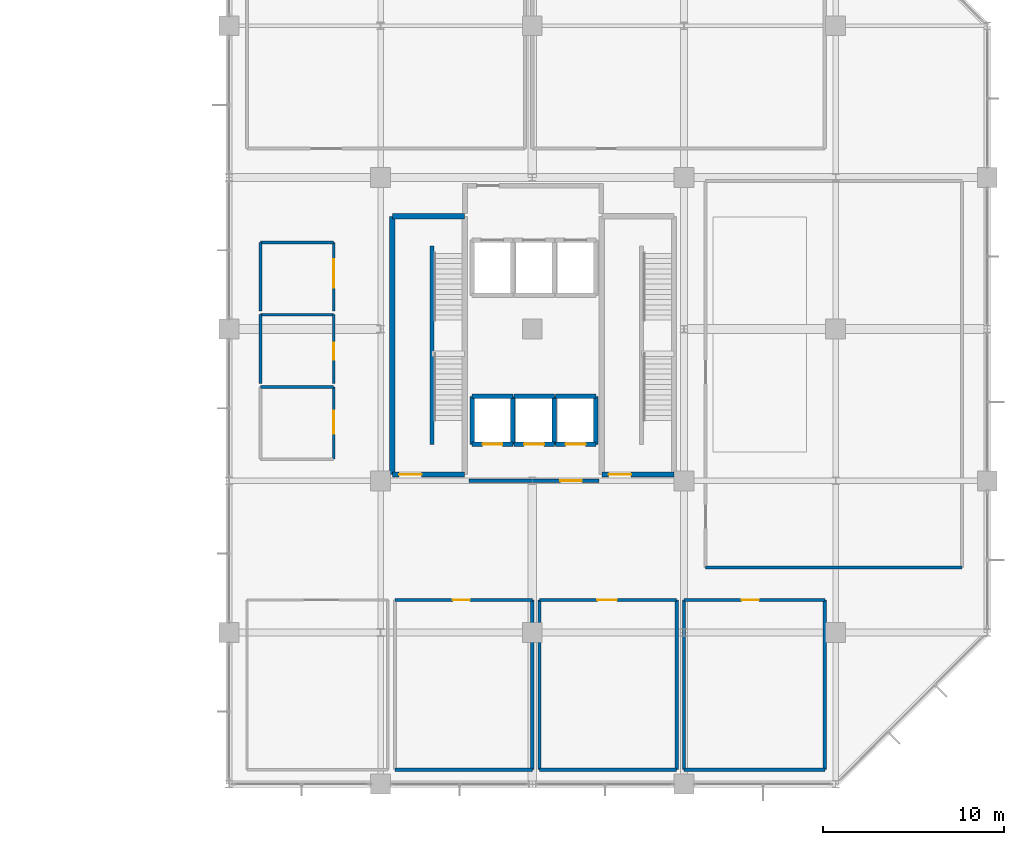
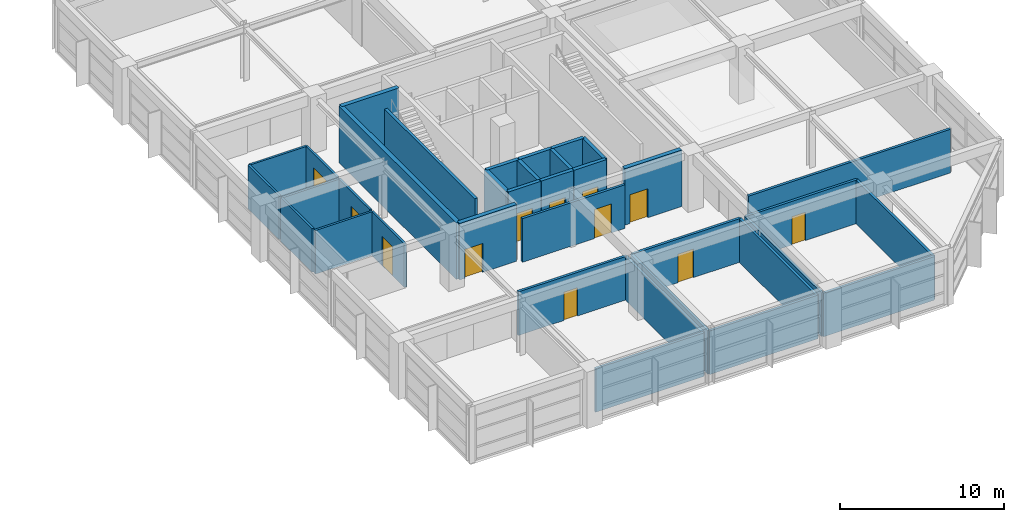
# One storey, part 15 of 18: 36 walls, 12 doors, 12 openings.
"""IFC4 building model written with IfcOpenShell, lengths in metres."""

from ifc_helpers import new_model, si_unit, direction, frame, frame_2d, origin, place, context, subcontext, project, spatial, rectangle, extrude, material, layer, layer_set, type_object, element, fill, save


model = new_model("IFC4")

# Units and contexts
model_context = context("Model", 3, precision=1e-05, world=origin(), true_north=direction((0.0, 1.0)))
body_context = subcontext(model_context, "Body", "Model", "MODEL_VIEW")
ifc_project = project(units=[si_unit("LENGTHUNIT", "METRE"), si_unit("AREAUNIT", "SQUARE_METRE"), si_unit("VOLUMEUNIT", "CUBIC_METRE"), si_unit("PLANEANGLEUNIT", "RADIAN"), si_unit("MASSUNIT", "GRAM", prefix="KILO")], contexts=[model_context])

# Site, building, storey
site_placement = place(None, origin())
site = spatial("IfcSite", under=ifc_project, at=site_placement, CompositionType="ELEMENT")
building_placement = place(site_placement, origin())
building = spatial("IfcBuilding", under=site, at=building_placement, Name="Xuanlan Plaza Opera House", CompositionType="ELEMENT")
storey_placement = place(building_placement, frame((0.0, 0.0, 32.10009765625)))
storey = spatial("IfcBuildingStorey", under=building, at=storey_placement, Name="L07", CompositionType="ELEMENT", Elevation=32.10009765625)

# Wall, opening, door
ifc_material_1 = material(Name="Gypsum Board and Galvanised Steel Studs", Category="gypsum")
ifc_layer_1 = layer(ifc_material_1, 0.179931640625)
ifc_layer_set_1 = layer_set([ifc_layer_1], Name="Gypsum Board and Galvanised Steel Studs")
wall_type_1 = type_object("IfcWallType", Name="INT-WL-PW-02", PredefinedType="PARTITIONING", material=ifc_layer_set_1)
wall_1_placement = place(storey_placement, frame((139.300048828125, 50.39990234375, 0.0), z_axis=(0.0, 0.0, 1.0), x_axis=(1.0, 0.0, 0.0)))
wall_1 = element("IfcWall", 1, at=wall_1_placement, inside=storey, type_object=wall_type_1, Name="Tower Lift Lobby Wall South", PredefinedType="PARTITIONING", context=body_context, shape_type="SweptSolid", body=[
    extrude(rectangle(XDim=7.199951171875, YDim=0.179931640625, at=frame_2d((3.60009765625, 0.0))), origin(), (0.0, 0.0, 1.0), 3.239990234375),
])
opening_1_placement = place(wall_1_placement, frame((5.050048828125, 0.0, 0.0)))
opening_1 = element("IfcOpeningElement", 2, at=opening_1_placement, cuts=wall_1, Name="Opening FD-02", PredefinedType="OPENING", context=body_context, shape_type="SweptSolid", body=[
    extrude(rectangle(XDim=1.199951171875, YDim=2.14990234375, at=frame_2d((0.60009765625, 1.074951171875))), frame((0.0, 0.099853515625, 0.0), z_axis=(0.0, -1.0, 0.0), x_axis=(1.0, 0.0, 0.0)), (0.0, 0.0, 1.0), 0.199951171875),
])
ifc_material_2 = material(Name="Galvanised Steel Q235B", Category="steel")
door_type_1 = type_object("IfcDoorType", Name="INT-DR-FD-02", OperationType="NOTDEFINED", PredefinedType="DOOR", material=ifc_material_2)
door_1_placement = place(opening_1_placement, frame((1.199951171875, 0.0, 0.0), z_axis=(0.0, 0.0, 1.0), x_axis=(-1.0, 0.0, 0.0)))
door_1 = element("IfcDoor", 3, at=door_1_placement, inside=storey, type_object=door_type_1, Name="Tower Lift Lobby Door 1", OperationType="SINGLE_SWING_RIGHT", OverallHeight=2.14990234375, OverallWidth=1.199951171875, PredefinedType="DOOR", context=body_context, shape_type="SweptSolid", body=[
    extrude(rectangle(XDim=1.199951171875, YDim=2.14990234375, at=frame_2d((0.60009765625, 1.074951171875))), frame((0.0, 0.02490234375, 0.0), z_axis=(0.0, -1.0, 0.0), x_axis=(1.0, 0.0, 0.0)), (0.0, 0.0, 1.0), 0.050048828125),
])
fill(opening_1, door_1)

# Walls
wall_2_placement = place(storey_placement, frame((152.39990234375, 45.60009765625, 0.0), z_axis=(0.0, 0.0, 1.0), x_axis=(1.0, 0.0, 0.0)))
element("IfcWall", 4, at=wall_2_placement, inside=storey, type_object=wall_type_1, Name="Performing Arts Production Studio Wall South", PredefinedType="PARTITIONING", context=body_context, shape_type="SweptSolid", body=[
    extrude(rectangle(XDim=14.2001953125, YDim=0.179931640625, at=frame_2d((7.10009765625, 0.0))), origin(), (0.0, 0.0, 1.0), 3.239990234375),
])
wall_3_placement = place(storey_placement, frame((135.199951171875, 34.39990234375, 0.0), z_axis=(0.0, 0.0, 1.0), x_axis=(1.0, 0.0, 0.0)))
element("IfcWall", 5, at=wall_3_placement, inside=storey, type_object=wall_type_1, Name="Cultural Administration Office 2 Wall South", PredefinedType="PARTITIONING", context=body_context, shape_type="SweptSolid", body=[
    extrude(rectangle(XDim=7.60009765625, YDim=0.179931640625, at=frame_2d((3.800048828125, 0.0))), origin(), (0.0, 0.0, 1.0), 3.239990234375),
])

# Wall, opening, door
wall_4_placement = place(storey_placement, frame((135.199951171875, 43.800048828125, 0.0), z_axis=(0.0, 0.0, 1.0), x_axis=(1.0, 0.0, 0.0)))
wall_4 = element("IfcWall", 6, at=wall_4_placement, inside=storey, type_object=wall_type_1, Name="Cultural Administration Office 2 Wall North", PredefinedType="PARTITIONING", context=body_context, shape_type="SweptSolid", body=[
    extrude(rectangle(XDim=7.60009765625, YDim=0.179931640625, at=frame_2d((3.800048828125, 0.0))), origin(), (0.0, 0.0, 1.0), 3.239990234375),
])
opening_2_placement = place(wall_4_placement, frame((3.199951171875, 0.0, 0.0)))
opening_2 = element("IfcOpeningElement", 7, at=opening_2_placement, cuts=wall_4, Name="Opening D-01", PredefinedType="OPENING", context=body_context, shape_type="SweptSolid", body=[
    extrude(rectangle(XDim=0.949951171875, YDim=2.10009765625, at=frame_2d((0.47509765625, 1.050048828125))), frame((0.0, 0.099853515625, 0.0), z_axis=(0.0, -1.0, 0.0), x_axis=(1.0, 0.0, 0.0)), (0.0, 0.0, 1.0), 0.199951171875),
])
ifc_material_3 = material(Name="Walnut Hardwood Timber", Category="wood")
door_type_2 = type_object("IfcDoorType", Name="INT-DR-D-01", OperationType="NOTDEFINED", PredefinedType="DOOR", material=ifc_material_3)
door_2_placement = place(opening_2_placement, origin())
door_2 = element("IfcDoor", 8, at=door_2_placement, inside=storey, type_object=door_type_2, Name="Cultural Administration Office 2 Door 1", OperationType="SINGLE_SWING_RIGHT", OverallHeight=2.10009765625, OverallWidth=0.949951171875, PredefinedType="DOOR", context=body_context, shape_type="SweptSolid", body=[
    extrude(rectangle(XDim=0.949951171875, YDim=2.10009765625, at=frame_2d((0.47509765625, 1.050048828125))), frame((0.0, 0.02490234375, 0.0), z_axis=(0.0, -1.0, 0.0), x_axis=(1.0, 0.0, 0.0)), (0.0, 0.0, 1.0), 0.050048828125),
])
fill(opening_2, door_2)

# Walls
wall_5_placement = place(storey_placement, frame((142.800048828125, 34.39990234375, 0.0), z_axis=(0.0, 0.0, 1.0), x_axis=(0.0, 1.0, 0.0)))
element("IfcWall", 9, at=wall_5_placement, inside=storey, type_object=wall_type_1, Name="Cultural Administration Office 2 Wall East", PredefinedType="PARTITIONING", context=body_context, shape_type="SweptSolid", body=[
    extrude(rectangle(XDim=9.400146484375, YDim=0.179931640625, at=frame_2d((4.7001953125, 0.0))), origin(), (0.0, 0.0, 1.0), 3.239990234375),
])
wall_6_placement = place(storey_placement, frame((143.199951171875, 34.39990234375, 0.0), z_axis=(0.0, 0.0, 1.0), x_axis=(1.0, 0.0, 0.0)))
element("IfcWall", 10, at=wall_6_placement, inside=storey, type_object=wall_type_1, Name="Cultural Administration Office 3 Wall South", PredefinedType="PARTITIONING", context=body_context, shape_type="SweptSolid", body=[
    extrude(rectangle(XDim=7.60009765625, YDim=0.179931640625, at=frame_2d((3.800048828125, 0.0))), origin(), (0.0, 0.0, 1.0), 3.239990234375),
])

# Wall, opening, door
wall_7_placement = place(storey_placement, frame((143.199951171875, 43.800048828125, 0.0), z_axis=(0.0, 0.0, 1.0), x_axis=(1.0, 0.0, 0.0)))
wall_7 = element("IfcWall", 11, at=wall_7_placement, inside=storey, type_object=wall_type_1, Name="Cultural Administration Office 3 Wall North", PredefinedType="PARTITIONING", context=body_context, shape_type="SweptSolid", body=[
    extrude(rectangle(XDim=7.60009765625, YDim=0.179931640625, at=frame_2d((3.800048828125, 0.0))), origin(), (0.0, 0.0, 1.0), 3.239990234375),
])
opening_3_placement = place(wall_7_placement, frame((3.199951171875, 0.0, 0.0)))
opening_3 = element("IfcOpeningElement", 12, at=opening_3_placement, cuts=wall_7, Name="Opening D-06", PredefinedType="OPENING", context=body_context, shape_type="SweptSolid", body=[
    extrude(rectangle(XDim=1.080078125, YDim=2.1201171875, at=frame_2d((0.5400390625, 1.06005859375))), frame((0.0, 0.099853515625, 0.0), z_axis=(0.0, -1.0, 0.0), x_axis=(1.0, 0.0, 0.0)), (0.0, 0.0, 1.0), 0.199951171875),
])
ifc_material_4 = material(Name="Oak Hardwood Timber", Category="wood")
door_type_3 = type_object("IfcDoorType", Name="INT-DR-D-06", OperationType="NOTDEFINED", PredefinedType="DOOR", material=ifc_material_4)
door_3_placement = place(opening_3_placement, origin())
door_3 = element("IfcDoor", 13, at=door_3_placement, inside=storey, type_object=door_type_3, Name="Cultural Administration Office 3 Door 1", OperationType="SINGLE_SWING_LEFT", OverallHeight=2.1201171875, OverallWidth=1.080078125, PredefinedType="DOOR", context=body_context, shape_type="SweptSolid", body=[
    extrude(rectangle(XDim=1.080078125, YDim=2.1201171875, at=frame_2d((0.5400390625, 1.06005859375))), frame((0.0, 0.02490234375, 0.0), z_axis=(0.0, -1.0, 0.0), x_axis=(1.0, 0.0, 0.0)), (0.0, 0.0, 1.0), 0.050048828125),
])
fill(opening_3, door_3)

# Walls
for number, where, z_axis, x_axis, name in (
    (14, (143.199951171875, 34.39990234375, 0.0), (0.0, 0.0, 1.0), (0.0, 1.0, 0.0), "Cultural Administration Office 3 Wall West"),
    (15, (150.800048828125, 34.39990234375, 0.0), (0.0, 0.0, 1.0), (0.0, 1.0, 0.0), "Cultural Administration Office 3 Wall East"),
):
    element("IfcWall", number, at=place(storey_placement, frame(where, z_axis=z_axis, x_axis=x_axis)), inside=storey, type_object=wall_type_1, Name=name, PredefinedType="PARTITIONING", context=body_context, shape_type="SweptSolid", body=[
        extrude(rectangle(XDim=9.400146484375, YDim=0.179931640625, at=frame_2d((4.7001953125, 0.0))), origin(), (0.0, 0.0, 1.0), 3.239990234375),
    ])
wall_8_placement = place(storey_placement, frame((151.199951171875, 34.39990234375, 0.0), z_axis=(0.0, 0.0, 1.0), x_axis=(1.0, 0.0, 0.0)))
element("IfcWall", 16, at=wall_8_placement, inside=storey, type_object=wall_type_1, Name="Cultural Administration Office 4 Wall South", PredefinedType="PARTITIONING", context=body_context, shape_type="SweptSolid", body=[
    extrude(rectangle(XDim=7.800048828125, YDim=0.179931640625, at=frame_2d((3.89990234375, 0.0))), origin(), (0.0, 0.0, 1.0), 3.239990234375),
])

# Wall, opening, door
wall_9_placement = place(storey_placement, frame((151.199951171875, 43.800048828125, 0.0), z_axis=(0.0, 0.0, 1.0), x_axis=(1.0, 0.0, 0.0)))
wall_9 = element("IfcWall", 17, at=wall_9_placement, inside=storey, type_object=wall_type_1, Name="Cultural Administration Office 4 Wall North", PredefinedType="PARTITIONING", context=body_context, shape_type="SweptSolid", body=[
    extrude(rectangle(XDim=7.800048828125, YDim=0.179931640625, at=frame_2d((3.89990234375, 0.0))), origin(), (0.0, 0.0, 1.0), 3.239990234375),
])
opening_4_placement = place(wall_9_placement, frame((3.199951171875, 0.0, 0.0)))
opening_4 = element("IfcOpeningElement", 18, at=opening_4_placement, cuts=wall_9, Name="Opening D-01", PredefinedType="OPENING", context=body_context, shape_type="SweptSolid", body=[
    extrude(rectangle(XDim=0.949951171875, YDim=2.10009765625, at=frame_2d((0.47509765625, 1.050048828125))), frame((0.0, 0.099853515625, 0.0), z_axis=(0.0, -1.0, 0.0), x_axis=(1.0, 0.0, 0.0)), (0.0, 0.0, 1.0), 0.199951171875),
])
door_4_placement = place(opening_4_placement, origin())
door_4 = element("IfcDoor", 19, at=door_4_placement, inside=storey, type_object=door_type_2, Name="Cultural Administration Office 4 Door 1", OperationType="SINGLE_SWING_RIGHT", OverallHeight=2.10009765625, OverallWidth=0.949951171875, PredefinedType="DOOR", context=body_context, shape_type="SweptSolid", body=[
    extrude(rectangle(XDim=0.949951171875, YDim=2.10009765625, at=frame_2d((0.47509765625, 1.050048828125))), frame((0.0, 0.02490234375, 0.0), z_axis=(0.0, -1.0, 0.0), x_axis=(1.0, 0.0, 0.0)), (0.0, 0.0, 1.0), 0.050048828125),
])
fill(opening_4, door_4)

# Walls
for number, where, z_axis, x_axis, name in (
    (20, (151.199951171875, 34.39990234375, 0.0), (0.0, 0.0, 1.0), (0.0, 1.0, 0.0), "Cultural Administration Office 4 Wall West"),
    (21, (159.0, 34.39990234375, 0.0), (0.0, 0.0, 1.0), (0.0, 1.0, 0.0), "Cultural Administration Office 4 Wall East"),
):
    element("IfcWall", number, at=place(storey_placement, frame(where, z_axis=z_axis, x_axis=x_axis)), inside=storey, type_object=wall_type_1, Name=name, PredefinedType="PARTITIONING", context=body_context, shape_type="SweptSolid", body=[
        extrude(rectangle(XDim=9.400146484375, YDim=0.179931640625, at=frame_2d((4.7001953125, 0.0))), origin(), (0.0, 0.0, 1.0), 3.239990234375),
    ])
ifc_material_5 = material(Name="Autoclaved Aerated Blockwork Masonry", Category="masonry")
ifc_layer_2 = layer(ifc_material_5, 0.14990234375)
ifc_layer_set_2 = layer_set([ifc_layer_2], Name="Autoclaved Aerated Blockwork Masonry")
wall_type_2 = type_object("IfcWallType", Name="INT-WL-PW-03", PredefinedType="PARTITIONING", material=ifc_layer_set_2)
wall_10_placement = place(storey_placement, frame((127.75, 55.60009765625, 0.0), z_axis=(0.0, 0.0, 1.0), x_axis=(1.0, 0.0, 0.0)))
element("IfcWall", 22, at=wall_10_placement, inside=storey, type_object=wall_type_2, Name="Public WC Wall North", PredefinedType="PARTITIONING", context=body_context, shape_type="SweptSolid", body=[
    extrude(rectangle(XDim=4.050048828125, YDim=0.14990234375, at=frame_2d((2.02490234375, 0.0))), origin(), (0.0, 0.0, 1.0), 3.239990234375),
])

# Wall, opening, door
wall_11_placement = place(storey_placement, frame((131.800048828125, 51.60009765625, 0.0), z_axis=(0.0, 0.0, 1.0), x_axis=(0.0, 1.0, 0.0)))
wall_11 = element("IfcWall", 23, at=wall_11_placement, inside=storey, type_object=wall_type_2, Name="Public WC Wall East", PredefinedType="PARTITIONING", context=body_context, shape_type="SweptSolid", body=[
    extrude(rectangle(XDim=4.0, YDim=0.14990234375, at=frame_2d((2.0, 0.0))), origin(), (0.0, 0.0, 1.0), 3.239990234375),
])
opening_5_placement = place(wall_11_placement, frame((1.39990234375, 0.0, 0.0)))
opening_5 = element("IfcOpeningElement", 24, at=opening_5_placement, cuts=wall_11, Name="Opening D-11", PredefinedType="OPENING", context=body_context, shape_type="SweptSolid", body=[
    extrude(rectangle(XDim=1.280029296875, YDim=2.159912109375, at=frame_2d((0.64013671875, 1.080078125))), frame((0.0, 0.0849609375, 0.0), z_axis=(0.0, -1.0, 0.0), x_axis=(1.0, 0.0, 0.0)), (0.0, 0.0, 1.0), 0.169921875),
])
door_type_4 = type_object("IfcDoorType", Name="INT-DR-D-11", OperationType="NOTDEFINED", PredefinedType="DOOR", material=ifc_material_3)
door_5_placement = place(opening_5_placement, origin())
door_5 = element("IfcDoor", 25, at=door_5_placement, inside=storey, type_object=door_type_4, Name="Public WC Door 1", OperationType="SINGLE_SWING_LEFT", OverallHeight=2.159912109375, OverallWidth=1.280029296875, PredefinedType="DOOR", context=body_context, shape_type="SweptSolid", body=[
    extrude(rectangle(XDim=1.280029296875, YDim=2.159912109375, at=frame_2d((0.64013671875, 1.080078125))), frame((0.0, 0.02490234375, 0.0), z_axis=(0.0, -1.0, 0.0), x_axis=(1.0, 0.0, 0.0)), (0.0, 0.0, 1.0), 0.050048828125),
])
fill(opening_5, door_5)

# Walls
wall_12_placement = place(storey_placement, frame((127.75, 59.60009765625, 0.0), z_axis=(0.0, 0.0, 1.0), x_axis=(1.0, 0.0, 0.0)))
element("IfcWall", 26, at=wall_12_placement, inside=storey, type_object=wall_type_2, Name="Staff WC Wall North", PredefinedType="PARTITIONING", context=body_context, shape_type="SweptSolid", body=[
    extrude(rectangle(XDim=4.050048828125, YDim=0.14990234375, at=frame_2d((2.02490234375, 0.0))), origin(), (0.0, 0.0, 1.0), 3.239990234375),
])
wall_13_placement = place(storey_placement, frame((127.75, 55.800048828125, 0.0), z_axis=(0.0, 0.0, 1.0), x_axis=(0.0, 1.0, 0.0)))
element("IfcWall", 27, at=wall_13_placement, inside=storey, type_object=wall_type_2, Name="Staff WC Wall West", PredefinedType="PARTITIONING", context=body_context, shape_type="SweptSolid", body=[
    extrude(rectangle(XDim=3.800048828125, YDim=0.14990234375, at=frame_2d((1.89990234375, 0.0))), origin(), (0.0, 0.0, 1.0), 3.239990234375),
])

# Wall, opening, door
wall_14_placement = place(storey_placement, frame((131.800048828125, 55.800048828125, 0.0), z_axis=(0.0, 0.0, 1.0), x_axis=(0.0, 1.0, 0.0)))
wall_14 = element("IfcWall", 28, at=wall_14_placement, inside=storey, type_object=wall_type_2, Name="Staff WC Wall East", PredefinedType="PARTITIONING", context=body_context, shape_type="SweptSolid", body=[
    extrude(rectangle(XDim=3.800048828125, YDim=0.14990234375, at=frame_2d((1.89990234375, 0.0))), origin(), (0.0, 0.0, 1.0), 3.239990234375),
])
opening_6_placement = place(wall_14_placement, frame((1.300048828125, 0.0, 0.0)))
opening_6 = element("IfcOpeningElement", 29, at=opening_6_placement, cuts=wall_14, Name="Opening D-01", PredefinedType="OPENING", context=body_context, shape_type="SweptSolid", body=[
    extrude(rectangle(XDim=0.949951171875, YDim=2.10009765625, at=frame_2d((0.47509765625, 1.050048828125))), frame((0.0, 0.0849609375, 0.0), z_axis=(0.0, -1.0, 0.0), x_axis=(1.0, 0.0, 0.0)), (0.0, 0.0, 1.0), 0.169921875),
])
door_6_placement = place(opening_6_placement, origin())
door_6 = element("IfcDoor", 30, at=door_6_placement, inside=storey, type_object=door_type_2, Name="Staff WC Door 1", OperationType="SINGLE_SWING_RIGHT", OverallHeight=2.10009765625, OverallWidth=0.949951171875, PredefinedType="DOOR", context=body_context, shape_type="SweptSolid", body=[
    extrude(rectangle(XDim=0.949951171875, YDim=2.10009765625, at=frame_2d((0.47509765625, 1.050048828125))), frame((0.0, 0.02490234375, 0.0), z_axis=(0.0, -1.0, 0.0), x_axis=(1.0, 0.0, 0.0)), (0.0, 0.0, 1.0), 0.050048828125),
])
fill(opening_6, door_6)

# Walls
wall_15_placement = place(storey_placement, frame((127.75, 63.60009765625, 0.0), z_axis=(0.0, 0.0, 1.0), x_axis=(1.0, 0.0, 0.0)))
element("IfcWall", 31, at=wall_15_placement, inside=storey, type_object=wall_type_2, Name="Accessible WC Wall North", PredefinedType="PARTITIONING", context=body_context, shape_type="SweptSolid", body=[
    extrude(rectangle(XDim=4.050048828125, YDim=0.14990234375, at=frame_2d((2.02490234375, 0.0))), origin(), (0.0, 0.0, 1.0), 3.239990234375),
])
wall_16_placement = place(storey_placement, frame((127.75, 59.800048828125, 0.0), z_axis=(0.0, 0.0, 1.0), x_axis=(0.0, 1.0, 0.0)))
element("IfcWall", 32, at=wall_16_placement, inside=storey, type_object=wall_type_2, Name="Accessible WC Wall West", PredefinedType="PARTITIONING", context=body_context, shape_type="SweptSolid", body=[
    extrude(rectangle(XDim=3.800048828125, YDim=0.14990234375, at=frame_2d((1.89990234375, 0.0))), origin(), (0.0, 0.0, 1.0), 3.239990234375),
])

# Wall, opening, door
wall_17_placement = place(storey_placement, frame((131.800048828125, 59.800048828125, 0.0), z_axis=(0.0, 0.0, 1.0), x_axis=(0.0, 1.0, 0.0)))
wall_17 = element("IfcWall", 33, at=wall_17_placement, inside=storey, type_object=wall_type_2, Name="Accessible WC Wall East", PredefinedType="PARTITIONING", context=body_context, shape_type="SweptSolid", body=[
    extrude(rectangle(XDim=3.800048828125, YDim=0.14990234375, at=frame_2d((1.89990234375, 0.0))), origin(), (0.0, 0.0, 1.0), 3.239990234375),
])
opening_7_placement = place(wall_17_placement, frame((1.300048828125, 0.0, 0.0)))
opening_7 = element("IfcOpeningElement", 34, at=opening_7_placement, cuts=wall_17, Name="Opening D-13", PredefinedType="OPENING", context=body_context, shape_type="SweptSolid", body=[
    extrude(rectangle(XDim=1.56005859375, YDim=2.199951171875, at=frame_2d((0.780029296875, 1.10009765625))), frame((0.0, 0.0849609375, 0.0), z_axis=(0.0, -1.0, 0.0), x_axis=(1.0, 0.0, 0.0)), (0.0, 0.0, 1.0), 0.169921875),
])
door_type_5 = type_object("IfcDoorType", Name="INT-DR-D-13", OperationType="DOUBLE_DOOR_SINGLE_SWING", PredefinedType="DOOR", material=ifc_material_3)
door_7_placement = place(opening_7_placement, origin())
door_7 = element("IfcDoor", 35, at=door_7_placement, inside=storey, type_object=door_type_5, Name="Accessible WC Door 1", OperationType="DOUBLE_DOOR_SINGLE_SWING", OverallHeight=2.199951171875, OverallWidth=1.56005859375, PredefinedType="DOOR", context=body_context, shape_type="SweptSolid", body=[
    extrude(rectangle(XDim=1.56005859375, YDim=2.199951171875, at=frame_2d((0.780029296875, 1.10009765625))), frame((0.0, 0.02490234375, 0.0), z_axis=(0.0, -1.0, 0.0), x_axis=(1.0, 0.0, 0.0)), (0.0, 0.0, 1.0), 0.050048828125),
])
fill(opening_7, door_7)

ifc_material_6 = material(Name="Concrete C40", Category="concrete")
ifc_layer_3 = layer(ifc_material_6, 0.25)
ifc_layer_set_3 = layer_set([ifc_layer_3], Name="Concrete C40")
wall_type_3 = type_object("IfcWallType", Name="INT-WL-SW-LF1", PredefinedType="SHEAR", material=ifc_layer_set_3)
wall_18_placement = place(storey_placement, frame((139.47509765625, 52.425048828125, 0.0), z_axis=(0.0, 0.0, 1.0), x_axis=(1.0, 0.0, 0.0)))
wall_18 = element("IfcWall", 36, at=wall_18_placement, inside=storey, type_object=wall_type_3, Name="Lift Shaft Wall LF-P1 L07 South", PredefinedType="SHEAR", context=body_context, shape_type="SweptSolid", body=[
    extrude(rectangle(XDim=2.25, YDim=0.25, at=frame_2d((1.125, 0.0))), origin(), (0.0, 0.0, 1.0), 3.9599609375),
])
opening_8_placement = place(wall_18_placement, frame((0.574951171875, 0.0, 0.0)))
opening_8 = element("IfcOpeningElement", 37, at=opening_8_placement, cuts=wall_18, Name="Opening LD-P1-L07", PredefinedType="OPENING", context=body_context, shape_type="SweptSolid", body=[
    extrude(rectangle(XDim=1.10009765625, YDim=2.14990234375, at=frame_2d((0.550048828125, 1.074951171875))), frame((0.0, 0.135009765625, 0.0), z_axis=(0.0, -1.0, 0.0), x_axis=(1.0, 0.0, 0.0)), (0.0, 0.0, 1.0), 0.27001953125),
])
ifc_material_7 = material(Name="Stainless Steel S30408", Category="steel")
door_type_6 = type_object("IfcDoorType", Name="INT-DR-LD-01", OperationType="DOUBLE_DOOR_SLIDING", PredefinedType="DOOR", material=ifc_material_7)
door_8_placement = place(opening_8_placement, origin())
door_8 = element("IfcDoor", 38, at=door_8_placement, inside=storey, type_object=door_type_6, Name="Lift Sliding Landing Door LF-P1 L07", OperationType="DOUBLE_DOOR_SLIDING", OverallHeight=2.14990234375, OverallWidth=1.10009765625, PredefinedType="DOOR", context=body_context, shape_type="SweptSolid", body=[
    extrude(rectangle(XDim=1.10009765625, YDim=2.14990234375, at=frame_2d((0.550048828125, 1.074951171875))), frame((0.0, 0.02490234375, 0.0), z_axis=(0.0, -1.0, 0.0), x_axis=(1.0, 0.0, 0.0)), (0.0, 0.0, 1.0), 0.050048828125),
])
fill(opening_8, door_8)

# Walls
wall_19_placement = place(storey_placement, frame((139.47509765625, 55.074951171875, 0.0), z_axis=(0.0, 0.0, 1.0), x_axis=(1.0, 0.0, 0.0)))
element("IfcWall", 39, at=wall_19_placement, inside=storey, type_object=wall_type_3, Name="Lift Shaft Wall LF-P1 L07 North", PredefinedType="SHEAR", context=body_context, shape_type="SweptSolid", body=[
    extrude(rectangle(XDim=2.25, YDim=0.25, at=frame_2d((1.125, 0.0))), origin(), (0.0, 0.0, 1.0), 3.9599609375),
])
for number, where, z_axis, x_axis, name in (
    (40, (139.47509765625, 52.425048828125, 0.0), (0.0, 0.0, 1.0), (0.0, 1.0, 0.0), "Lift Shaft Wall LF-P1 L07 West"),
    (41, (141.72509765625, 52.425048828125, 0.0), (0.0, 0.0, 1.0), (0.0, 1.0, 0.0), "Lift Shaft Wall LF-P1 L07 East"),
):
    element("IfcWall", number, at=place(storey_placement, frame(where, z_axis=z_axis, x_axis=x_axis)), inside=storey, type_object=wall_type_3, Name=name, PredefinedType="SHEAR", context=body_context, shape_type="SweptSolid", body=[
        extrude(rectangle(XDim=2.64990234375, YDim=0.25, at=frame_2d((1.324951171875, 0.0))), origin(), (0.0, 0.0, 1.0), 3.9599609375),
    ])

# Wall, opening, door
wall_20_placement = place(storey_placement, frame((141.77490234375, 52.425048828125, 0.0), z_axis=(0.0, 0.0, 1.0), x_axis=(1.0, 0.0, 0.0)))
wall_20 = element("IfcWall", 42, at=wall_20_placement, inside=storey, type_object=wall_type_3, Name="Lift Shaft Wall LF-P2 L07 South", PredefinedType="SHEAR", context=body_context, shape_type="SweptSolid", body=[
    extrude(rectangle(XDim=2.25, YDim=0.25, at=frame_2d((1.125, 0.0))), origin(), (0.0, 0.0, 1.0), 3.9599609375),
])
opening_9_placement = place(wall_20_placement, frame((0.574951171875, 0.0, 0.0)))
opening_9 = element("IfcOpeningElement", 43, at=opening_9_placement, cuts=wall_20, Name="Opening LD-P2-L07", PredefinedType="OPENING", context=body_context, shape_type="SweptSolid", body=[
    extrude(rectangle(XDim=1.10009765625, YDim=2.14990234375, at=frame_2d((0.550048828125, 1.074951171875))), frame((0.0, 0.135009765625, 0.0), z_axis=(0.0, -1.0, 0.0), x_axis=(1.0, 0.0, 0.0)), (0.0, 0.0, 1.0), 0.27001953125),
])
door_9_placement = place(opening_9_placement, origin())
door_9 = element("IfcDoor", 44, at=door_9_placement, inside=storey, type_object=door_type_6, Name="Lift Sliding Landing Door LF-P2 L07", OperationType="DOUBLE_DOOR_SLIDING", OverallHeight=2.14990234375, OverallWidth=1.10009765625, PredefinedType="DOOR", context=body_context, shape_type="SweptSolid", body=[
    extrude(rectangle(XDim=1.10009765625, YDim=2.14990234375, at=frame_2d((0.550048828125, 1.074951171875))), frame((0.0, 0.02490234375, 0.0), z_axis=(0.0, -1.0, 0.0), x_axis=(1.0, 0.0, 0.0)), (0.0, 0.0, 1.0), 0.050048828125),
])
fill(opening_9, door_9)

# Walls
wall_21_placement = place(storey_placement, frame((141.77490234375, 55.074951171875, 0.0), z_axis=(0.0, 0.0, 1.0), x_axis=(1.0, 0.0, 0.0)))
element("IfcWall", 45, at=wall_21_placement, inside=storey, type_object=wall_type_3, Name="Lift Shaft Wall LF-P2 L07 North", PredefinedType="SHEAR", context=body_context, shape_type="SweptSolid", body=[
    extrude(rectangle(XDim=2.25, YDim=0.25, at=frame_2d((1.125, 0.0))), origin(), (0.0, 0.0, 1.0), 3.9599609375),
])
wall_22_placement = place(storey_placement, frame((144.02490234375, 52.425048828125, 0.0), z_axis=(0.0, 0.0, 1.0), x_axis=(0.0, 1.0, 0.0)))
element("IfcWall", 46, at=wall_22_placement, inside=storey, type_object=wall_type_3, Name="Lift Shaft Wall LF-P2 L07 East", PredefinedType="SHEAR", context=body_context, shape_type="SweptSolid", body=[
    extrude(rectangle(XDim=2.64990234375, YDim=0.25, at=frame_2d((1.324951171875, 0.0))), origin(), (0.0, 0.0, 1.0), 3.9599609375),
])

# Wall, opening, door
wall_23_placement = place(storey_placement, frame((144.074951171875, 52.425048828125, 0.0), z_axis=(0.0, 0.0, 1.0), x_axis=(1.0, 0.0, 0.0)))
wall_23 = element("IfcWall", 47, at=wall_23_placement, inside=storey, type_object=wall_type_3, Name="Lift Shaft Wall LF-P3 L07 South", PredefinedType="SHEAR", context=body_context, shape_type="SweptSolid", body=[
    extrude(rectangle(XDim=2.25, YDim=0.25, at=frame_2d((1.125, 0.0))), origin(), (0.0, 0.0, 1.0), 3.9599609375),
])
opening_10_placement = place(wall_23_placement, frame((0.574951171875, 0.0, 0.0)))
opening_10 = element("IfcOpeningElement", 48, at=opening_10_placement, cuts=wall_23, Name="Opening LD-P3-L07", PredefinedType="OPENING", context=body_context, shape_type="SweptSolid", body=[
    extrude(rectangle(XDim=1.10009765625, YDim=2.14990234375, at=frame_2d((0.550048828125, 1.074951171875))), frame((0.0, 0.135009765625, 0.0), z_axis=(0.0, -1.0, 0.0), x_axis=(1.0, 0.0, 0.0)), (0.0, 0.0, 1.0), 0.27001953125),
])
door_10_placement = place(opening_10_placement, origin())
door_10 = element("IfcDoor", 49, at=door_10_placement, inside=storey, type_object=door_type_6, Name="Lift Sliding Landing Door LF-P3 L07", OperationType="DOUBLE_DOOR_SLIDING", OverallHeight=2.14990234375, OverallWidth=1.10009765625, PredefinedType="DOOR", context=body_context, shape_type="SweptSolid", body=[
    extrude(rectangle(XDim=1.10009765625, YDim=2.14990234375, at=frame_2d((0.550048828125, 1.074951171875))), frame((0.0, 0.02490234375, 0.0), z_axis=(0.0, -1.0, 0.0), x_axis=(1.0, 0.0, 0.0)), (0.0, 0.0, 1.0), 0.050048828125),
])
fill(opening_10, door_10)

# Walls
wall_24_placement = place(storey_placement, frame((144.074951171875, 55.074951171875, 0.0), z_axis=(0.0, 0.0, 1.0), x_axis=(1.0, 0.0, 0.0)))
element("IfcWall", 50, at=wall_24_placement, inside=storey, type_object=wall_type_3, Name="Lift Shaft Wall LF-P3 L07 North", PredefinedType="SHEAR", context=body_context, shape_type="SweptSolid", body=[
    extrude(rectangle(XDim=2.25, YDim=0.25, at=frame_2d((1.125, 0.0))), origin(), (0.0, 0.0, 1.0), 3.9599609375),
])
wall_25_placement = place(storey_placement, frame((146.324951171875, 52.425048828125, 0.0), z_axis=(0.0, 0.0, 1.0), x_axis=(0.0, 1.0, 0.0)))
element("IfcWall", 51, at=wall_25_placement, inside=storey, type_object=wall_type_3, Name="Lift Shaft Wall LF-P3 L07 East", PredefinedType="SHEAR", context=body_context, shape_type="SweptSolid", body=[
    extrude(rectangle(XDim=2.64990234375, YDim=0.25, at=frame_2d((1.324951171875, 0.0))), origin(), (0.0, 0.0, 1.0), 3.9599609375),
])
ifc_layer_4 = layer(ifc_material_6, 0.199951171875)
ifc_layer_set_4 = layer_set([ifc_layer_4], Name="Concrete C40")
wall_type_4 = type_object("IfcWallType", Name="INT-WL-SW-SPN", PredefinedType="SHEAR", material=ifc_layer_set_4)
wall_26_placement = place(storey_placement, frame((137.25, 52.39990234375, 0.0), z_axis=(0.0, 0.0, 1.0), x_axis=(0.0, 1.0, 0.0)))
element("IfcWall", 52, at=wall_26_placement, inside=storey, type_object=wall_type_4, Name="Stair Structural Spine Wall ST-T1 L07", PredefinedType="SHEAR", context=body_context, shape_type="SweptSolid", body=[
    extrude(rectangle(XDim=11.0, YDim=0.199951171875, at=frame_2d((5.5, 0.0))), origin(), (0.0, 0.0, 1.0), 4.199951171875),
])

# Wall, opening, door
ifc_layer_5 = layer(ifc_material_6, 0.300048828125)
ifc_layer_set_5 = layer_set([ifc_layer_5], Name="Concrete C40")
wall_type_5 = type_object("IfcWallType", Name="INT-WL-SW-ST1", PredefinedType="SHEAR", material=ifc_layer_set_5)
wall_27_placement = place(storey_placement, frame((135.050048828125, 50.75, 0.0), z_axis=(0.0, 0.0, 1.0), x_axis=(1.0, 0.0, 0.0)))
wall_27 = element("IfcWall", 53, at=wall_27_placement, inside=storey, type_object=wall_type_5, Name="Stair Core Wall ST-T1 L07 South", PredefinedType="SHEAR", context=body_context, shape_type="SweptSolid", body=[
    extrude(rectangle(XDim=4.0, YDim=0.300048828125, at=frame_2d((2.0, 0.0))), origin(), (0.0, 0.0, 1.0), 4.199951171875),
])
opening_11_placement = place(wall_27_placement, frame((0.375, 0.0, 0.0)))
opening_11 = element("IfcOpeningElement", 54, at=opening_11_placement, cuts=wall_27, Name="Opening FD-ST1", PredefinedType="OPENING", context=body_context, shape_type="SweptSolid", body=[
    extrude(rectangle(XDim=1.25, YDim=2.14990234375, at=frame_2d((0.625, 1.074951171875))), frame((0.0, 0.159912109375, 0.0), z_axis=(0.0, -1.0, 0.0), x_axis=(1.0, 0.0, 0.0)), (0.0, 0.0, 1.0), 0.320068359375),
])
door_type_7 = type_object("IfcDoorType", Name="INT-DR-FD-ST1", OperationType="NOTDEFINED", PredefinedType="DOOR", material=ifc_material_2)
door_11_placement = place(opening_11_placement, origin())
door_11 = element("IfcDoor", 55, at=door_11_placement, inside=storey, type_object=door_type_7, Name="Stair Enclosure Fire Door ST-T1 L07", OperationType="SINGLE_SWING_LEFT", OverallHeight=2.14990234375, OverallWidth=1.25, PredefinedType="DOOR", context=body_context, shape_type="SweptSolid", body=[
    extrude(rectangle(XDim=1.25, YDim=2.14990234375, at=frame_2d((0.625, 1.074951171875))), frame((0.0, 0.02490234375, 0.0), z_axis=(0.0, -1.0, 0.0), x_axis=(1.0, 0.0, 0.0)), (0.0, 0.0, 1.0), 0.050048828125),
])
fill(opening_11, door_11)

# Walls
wall_28_placement = place(storey_placement, frame((135.050048828125, 65.050048828125, 0.0), z_axis=(0.0, 0.0, 1.0), x_axis=(1.0, 0.0, 0.0)))
element("IfcWall", 56, at=wall_28_placement, inside=storey, type_object=wall_type_5, Name="Stair Core Wall ST-T1 L07 North", PredefinedType="SHEAR", context=body_context, shape_type="SweptSolid", body=[
    extrude(rectangle(XDim=4.0, YDim=0.300048828125, at=frame_2d((2.0, 0.0))), origin(), (0.0, 0.0, 1.0), 4.199951171875),
])
wall_29_placement = place(storey_placement, frame((135.050048828125, 50.75, 0.0), z_axis=(0.0, 0.0, 1.0), x_axis=(0.0, 1.0, 0.0)))
element("IfcWall", 57, at=wall_29_placement, inside=storey, type_object=wall_type_5, Name="Stair Core Wall ST-T1 L07 West", PredefinedType="SHEAR", context=body_context, shape_type="SweptSolid", body=[
    extrude(rectangle(XDim=14.300048828125, YDim=0.300048828125, at=frame_2d((7.14990234375, 0.0))), origin(), (0.0, 0.0, 1.0), 4.199951171875),
])

# Wall, opening, door
wall_30_placement = place(storey_placement, frame((146.64990234375, 50.75, 0.0), z_axis=(0.0, 0.0, 1.0), x_axis=(1.0, 0.0, 0.0)))
wall_30 = element("IfcWall", 58, at=wall_30_placement, inside=storey, type_object=wall_type_5, Name="Stair Core Wall ST-T2 L07 South", PredefinedType="SHEAR", context=body_context, shape_type="SweptSolid", body=[
    extrude(rectangle(XDim=4.0, YDim=0.300048828125, at=frame_2d((2.0, 0.0))), origin(), (0.0, 0.0, 1.0), 4.199951171875),
])
opening_12_placement = place(wall_30_placement, frame((0.375, 0.0, 0.0)))
opening_12 = element("IfcOpeningElement", 59, at=opening_12_placement, cuts=wall_30, Name="Opening FD-ST1", PredefinedType="OPENING", context=body_context, shape_type="SweptSolid", body=[
    extrude(rectangle(XDim=1.25, YDim=2.14990234375, at=frame_2d((0.625, 1.074951171875))), frame((0.0, 0.159912109375, 0.0), z_axis=(0.0, -1.0, 0.0), x_axis=(1.0, 0.0, 0.0)), (0.0, 0.0, 1.0), 0.320068359375),
])
door_12_placement = place(opening_12_placement, origin())
door_12 = element("IfcDoor", 60, at=door_12_placement, inside=storey, type_object=door_type_7, Name="Stair Enclosure Fire Door ST-T2 L07", OperationType="SINGLE_SWING_RIGHT", OverallHeight=2.14990234375, OverallWidth=1.25, PredefinedType="DOOR", context=body_context, shape_type="SweptSolid", body=[
    extrude(rectangle(XDim=1.25, YDim=2.14990234375, at=frame_2d((0.625, 1.074951171875))), frame((0.0, 0.02490234375, 0.0), z_axis=(0.0, -1.0, 0.0), x_axis=(1.0, 0.0, 0.0)), (0.0, 0.0, 1.0), 0.050048828125),
])
fill(opening_12, door_12)

save(model, "model.ifc")
